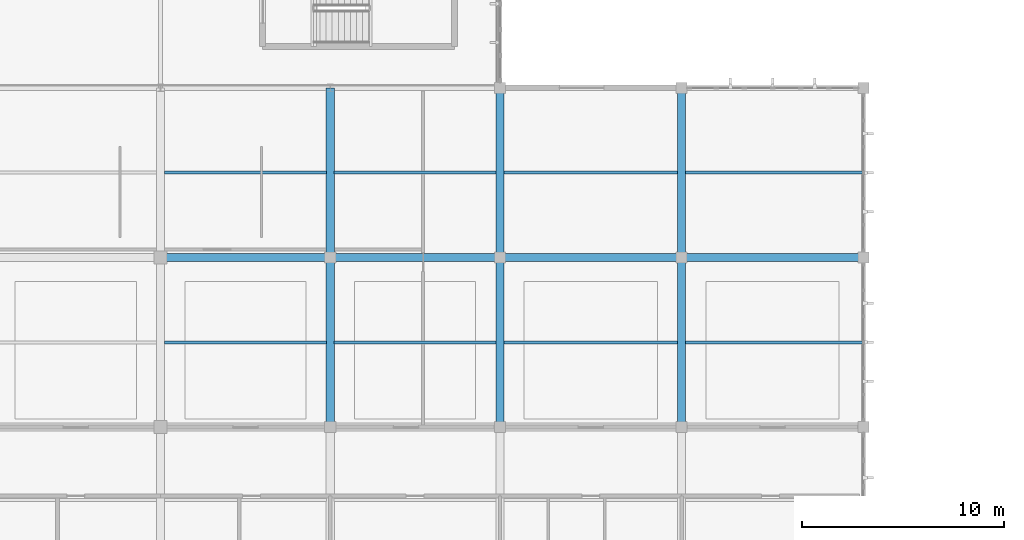
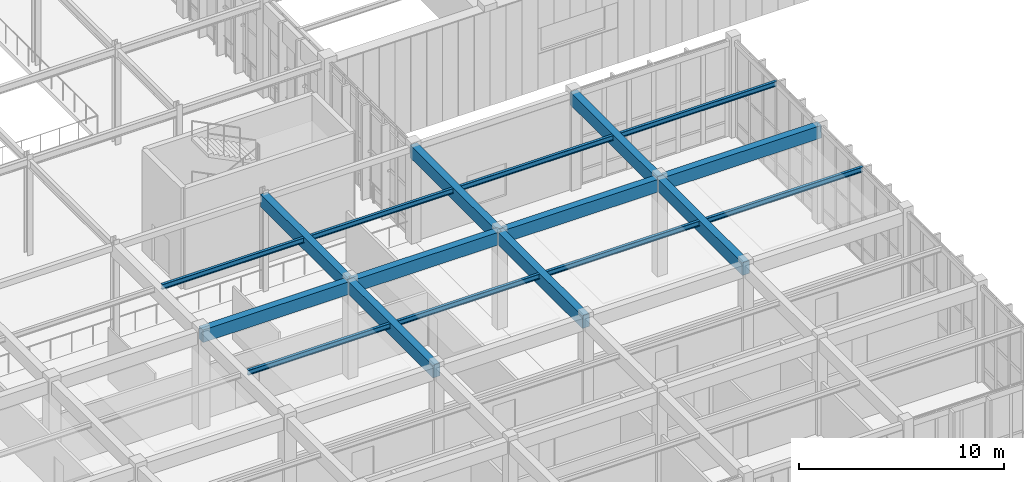
# One storey, part 21 of 105: 18 beams.
"""IFC4 building model written with IfcOpenShell, lengths in metres."""

from ifc_helpers import new_model, si_unit, direction, frame, origin, origin_2d, place, context, subcontext, project, spatial, rectangle, i_section, extrude, material, material_profile, profile_set, type_object, element, save


model = new_model("IFC4")

# Units and contexts
model_context = context("Model", 3, precision=1e-05, world=origin(), true_north=direction((0.0, 1.0)))
body_context = subcontext(model_context, "Body", "Model", "MODEL_VIEW")
ifc_project = project(units=[si_unit("LENGTHUNIT", "METRE"), si_unit("AREAUNIT", "SQUARE_METRE"), si_unit("VOLUMEUNIT", "CUBIC_METRE"), si_unit("PLANEANGLEUNIT", "RADIAN"), si_unit("MASSUNIT", "GRAM", prefix="KILO")], contexts=[model_context])

# Site, building, storey
site_placement = place(None, origin())
site = spatial("IfcSite", under=ifc_project, at=site_placement, CompositionType="ELEMENT")
building_placement = place(site_placement, origin())
building = spatial("IfcBuilding", under=site, at=building_placement, Name="Tizgana Railside Sports Hall", CompositionType="ELEMENT")
storey_placement = place(building_placement, frame((0.0, 0.0, 6.0)))
storey = spatial("IfcBuildingStorey", under=building, at=storey_placement, Name="L01", CompositionType="ELEMENT", Elevation=6.0)

# Beams
ifc_material_1 = material(Name="Concrete C35/45", Category="concrete")
ifc_material_profile_1 = material_profile(ifc_material_1, rectangle(XDim=0.39990234375, YDim=0.75, at=origin_2d()), Name="RCB 400x750")
ifc_profile_set_1 = profile_set([ifc_material_profile_1], Name="Concrete C35/45")
beam_type_1 = type_object("IfcBeamType", Name="Concrete Beam RCB 400x750", PredefinedType="BEAM", material=ifc_profile_set_1)
for number, where, z_axis, x_axis, name in (
    (1, (71.39990234375, 15.60009765625, 5.361083984375), (0.0, 1.0, 0.0), (-1.0, 0.0, 0.0), "L01 BEM-0496"),
    (2, (71.39990234375, 24.0, 5.361083984375), (0.0, 1.0, 0.0), (-1.0, 0.0, 0.0), "L01 BEM-0497"),
    (3, (79.800048828125, 15.60009765625, 5.361083984375), (0.0, 1.0, 0.0), (-1.0, 0.0, 0.0), "L01 BEM-0500"),
    (4, (79.800048828125, 24.0, 5.361083984375), (0.0, 1.0, 0.0), (-1.0, 0.0, 0.0), "L01 BEM-0501"),
    (5, (88.800048828125, 15.60009765625, 5.361083984375), (0.0, 1.0, 0.0), (-1.0, 0.0, 0.0), "L01 BEM-0504"),
    (6, (88.800048828125, 24.0, 5.361083984375), (0.0, 1.0, 0.0), (-1.0, 0.0, 0.0), "L01 BEM-0505"),
    (7, (63.0, 24.0, 5.361083984375), (1.0, 0.0, 0.0), (0.0, 1.0, 0.0), "L01 BEM-0565"),
):
    element("IfcBeam", number, at=place(storey_placement, frame(where, z_axis=z_axis, x_axis=x_axis)), inside=storey, type_object=beam_type_1, Name=name, PredefinedType="BEAM", context=body_context, shape_type="SweptSolid", body=[
        extrude(rectangle(XDim=0.39990234375, YDim=0.75, at=origin_2d()), origin(), (0.0, 0.0, 1.0), 8.39990234375),
    ])
beam_placement = place(storey_placement, frame((71.39990234375, 24.0, 5.361083984375), z_axis=(1.0, 0.0, 0.0), x_axis=(0.0, 1.0, 0.0)))
element("IfcBeam", 8, at=beam_placement, inside=storey, type_object=beam_type_1, Name="L01 BEM-0573", PredefinedType="BEAM", context=body_context, shape_type="SweptSolid", body=[
    extrude(rectangle(XDim=0.39990234375, YDim=0.75, at=origin_2d()), origin(), (0.0, 0.0, 1.0), 8.400146484375),
])
for number, where, z_axis, x_axis, name in (
    (9, (79.800048828125, 24.0, 5.361083984375), (1.0, 0.0, 0.0), (0.0, 1.0, 0.0), "L01 BEM-0582"),
    (10, (88.800048828125, 24.0, 5.361083984375), (1.0, 0.0, 0.0), (0.0, 1.0, 0.0), "L01 BEM-0591"),
):
    element("IfcBeam", number, at=place(storey_placement, frame(where, z_axis=z_axis, x_axis=x_axis)), inside=storey, type_object=beam_type_1, Name=name, PredefinedType="BEAM", context=body_context, shape_type="SweptSolid", body=[
        extrude(rectangle(XDim=0.39990234375, YDim=0.75, at=origin_2d()), origin(), (0.0, 0.0, 1.0), 9.0),
    ])
ifc_material_2 = material(Name="Steel S355J2", Category="steel")
ifc_material_profile_2 = material_profile(ifc_material_2, i_section(OverallWidth=0.14990234375, OverallDepth=0.300048828125, WebThickness=0.007080078125, FlangeThickness=0.0107421875, FilletRadius=0.014892578125, at=origin_2d()), Name="IPE 300")
ifc_profile_set_2 = profile_set([ifc_material_profile_2], Name="Steel S355J2")
beam_type_2 = type_object("IfcBeamType", Name="Steel Joist IPE 300", PredefinedType="JOIST", material=ifc_profile_set_2)
for number, where, z_axis, x_axis, name in (
    (11, (63.195068359375, 19.800048828125, 5.5859375), (1.0, 0.0, 0.0), (0.0, 1.0, 0.0), "L01 BEM-0568"),
    (12, (63.195068359375, 28.199951171875, 5.5859375), (1.0, 0.0, 0.0), (0.0, 1.0, 0.0), "L01 BEM-0569"),
    (13, (71.594970703125, 19.800048828125, 5.5859375), (1.0, 0.0, 0.0), (0.0, 1.0, 0.0), "L01 BEM-0577"),
    (14, (71.594970703125, 28.199951171875, 5.5859375), (1.0, 0.0, 0.0), (0.0, 1.0, 0.0), "L01 BEM-0578"),
):
    element("IfcBeam", number, at=place(storey_placement, frame(where, z_axis=z_axis, x_axis=x_axis)), inside=storey, type_object=beam_type_2, Name=name, PredefinedType="JOIST", context=body_context, shape_type="SweptSolid", body=[
        extrude(i_section(OverallWidth=0.14990234375, OverallDepth=0.300048828125, WebThickness=0.007080078125, FlangeThickness=0.0107421875, FilletRadius=0.014892578125, at=origin_2d()), origin(), (0.0, 0.0, 1.0), 8.010009765625),
    ])
for number, where, z_axis, x_axis, name in (
    (15, (79.9951171875, 19.800048828125, 5.5859375), (1.0, 0.0, 0.0), (0.0, 1.0, 0.0), "L01 BEM-0586"),
    (16, (79.9951171875, 28.199951171875, 5.5859375), (1.0, 0.0, 0.0), (0.0, 1.0, 0.0), "L01 BEM-0587"),
):
    element("IfcBeam", number, at=place(storey_placement, frame(where, z_axis=z_axis, x_axis=x_axis)), inside=storey, type_object=beam_type_2, Name=name, PredefinedType="JOIST", context=body_context, shape_type="SweptSolid", body=[
        extrude(i_section(OverallWidth=0.14990234375, OverallDepth=0.300048828125, WebThickness=0.007080078125, FlangeThickness=0.0107421875, FilletRadius=0.014892578125, at=origin_2d()), origin(), (0.0, 0.0, 1.0), 8.60986328125),
    ])
for number, where, z_axis, x_axis, name in (
    (17, (88.9951171875, 19.800048828125, 5.5859375), (1.0, 0.0, 0.0), (0.0, 1.0, 0.0), "L01 BEM-0595"),
    (18, (88.9951171875, 28.199951171875, 5.5859375), (1.0, 0.0, 0.0), (0.0, 1.0, 0.0), "L01 BEM-0596"),
):
    element("IfcBeam", number, at=place(storey_placement, frame(where, z_axis=z_axis, x_axis=x_axis)), inside=storey, type_object=beam_type_2, Name=name, PredefinedType="JOIST", context=body_context, shape_type="SweptSolid", body=[
        extrude(i_section(OverallWidth=0.14990234375, OverallDepth=0.300048828125, WebThickness=0.007080078125, FlangeThickness=0.0107421875, FilletRadius=0.014892578125, at=origin_2d()), origin(), (0.0, 0.0, 1.0), 8.804931640625),
    ])

save(model, "model.ifc")
